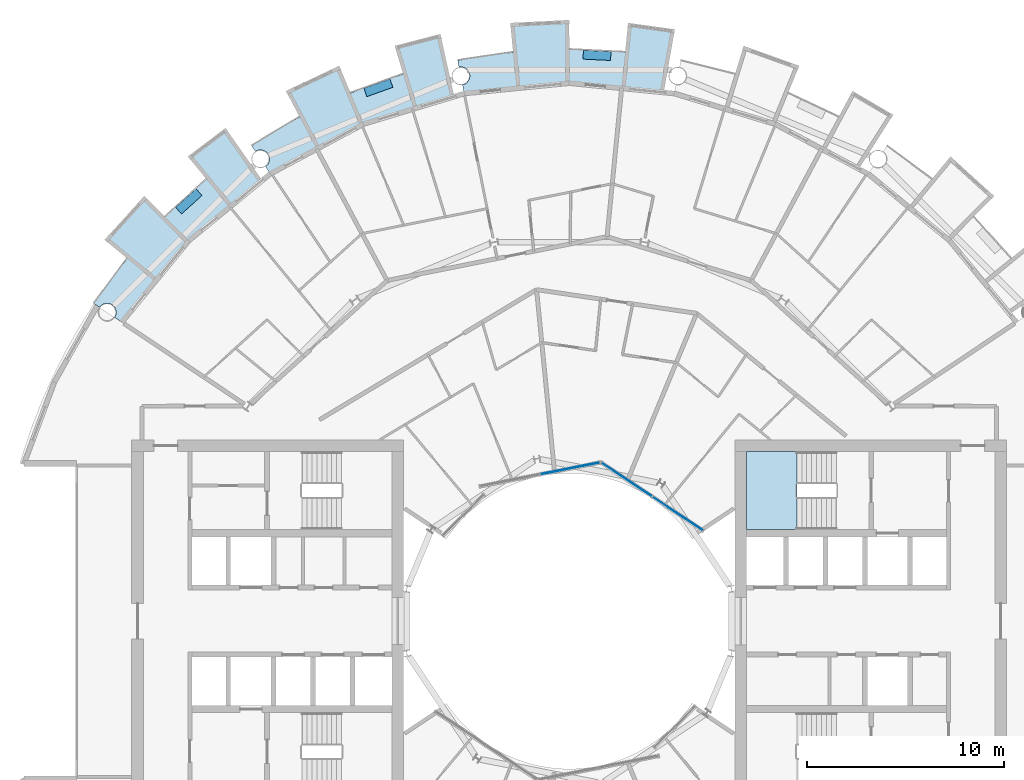
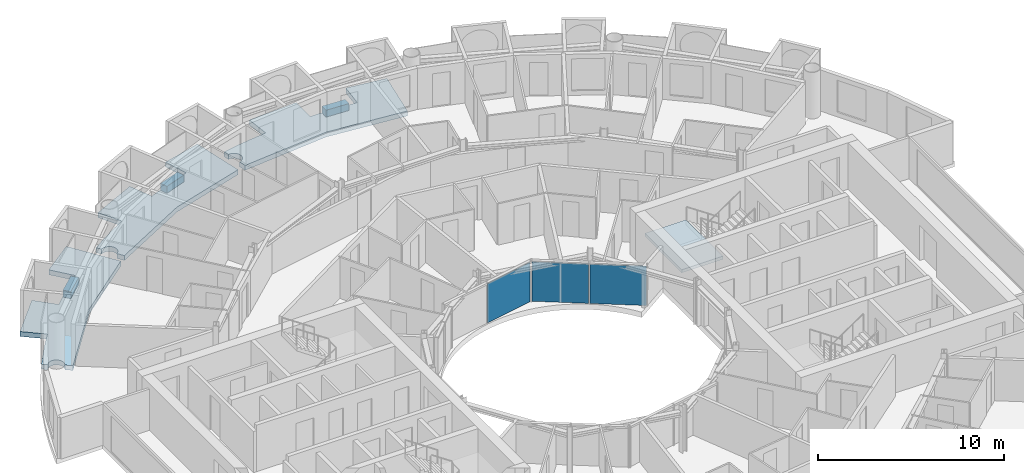
# One storey, part 12 of 28: 7 slabs, 3 plates, 3 elements without a shape of their own.
"""IFC4 building model written with IfcOpenShell, lengths in metres."""

import ifcopenshell
import ifcopenshell.guid

model = None  # the IFC model being written
_history = None  # IfcOwnerHistory: only IFC2X3 demands one
_inside = {}  # id of a spatial element -> (the spatial element, [elements in it])
_under = {}  # id of a project, library or spatial element -> (it, [spatial elements below it])
_declared = {}  # id of a project -> (the project, [libraries it declares])
_typed = {}  # id of a type object -> (the type object, [elements of that type])
_made_of = {}  # id of a material, layer set ... -> (it, [elements and type objects made of it])


def new_model(schema):
    """Start an empty IFC model of exactly this schema.

    Asked for "IFC4X3", IfcOpenShell would pick the latest addendum, in which some entities
    have other attributes; the version numbers below select the first issue.
    IFC2X3 requires an IfcOwnerHistory on every rooted entity: one is made here for all.
    """
    global model, _history
    if schema == "IFC4X3":
        model = ifcopenshell.file(schema_version=(4, 3, 0, 0))
    else:
        model = ifcopenshell.file(schema=schema)
    _inside.clear()
    _under.clear()
    _declared.clear()
    _typed.clear()
    _made_of.clear()
    _history = None
    if model.schema == "IFC2X3":
        org = make("IfcOrganization", Name="unknown")
        user = make(
            "IfcPersonAndOrganization",
            ThePerson=make("IfcPerson", FamilyName="unknown"),
            TheOrganization=org,
        )
        app = make(
            "IfcApplication",
            ApplicationDeveloper=org,
            Version="unknown",
            ApplicationFullName="unknown",
            ApplicationIdentifier="unknown",
        )
        _history = make(
            "IfcOwnerHistory",
            OwningUser=user,
            OwningApplication=app,
            ChangeAction="ADDED",
            CreationDate=0,
        )
    return model


def make(cls, **values):
    """One entity of the class cls with the attributes given. An attribute that is None is left unset."""
    return model.create_entity(
        cls, **{name: value for name, value in values.items() if value is not None}
    )


def rooted(cls, **values):
    """An entity with a GlobalId (a new one), such as an element, a storey or a relation."""
    return make(cls, GlobalId=ifcopenshell.guid.new(), OwnerHistory=_history, **values)


def si_unit(unit_type, name, prefix=None):
    """IfcSIUnit, for example si_unit("LENGTHUNIT", "METRE", prefix="MILLI")."""
    return make("IfcSIUnit", UnitType=unit_type, Prefix=prefix, Name=name)


def assignment(units):
    """IfcUnitAssignment: the units of a project."""
    return None if units is None else make("IfcUnitAssignment", Units=units)


def point(xyz):
    """IfcCartesianPoint."""
    return None if xyz is None else make("IfcCartesianPoint", Coordinates=xyz)


def direction(xyz):
    """IfcDirection."""
    return None if xyz is None else make("IfcDirection", DirectionRatios=xyz)


def frame(location, z_axis=None, x_axis=None):
    """IfcAxis2Placement3D, a coordinate frame: its origin and axes. An axis left out is left unset."""
    return make(
        "IfcAxis2Placement3D",
        Location=point(location),
        Axis=direction(z_axis),
        RefDirection=direction(x_axis),
    )


def frame_2d(location, x_axis=None):
    """IfcAxis2Placement2D, a coordinate frame in the plane: its origin and x axis."""
    return make(
        "IfcAxis2Placement2D", Location=point(location), RefDirection=direction(x_axis)
    )


def origin():
    """The frame at (0, 0, 0) with its axes left unset."""
    return frame((0.0, 0.0, 0.0))


def origin_2d():
    """The frame at (0, 0) in the plane with its x axis left unset."""
    return frame_2d((0.0, 0.0))


def place(relative_to, where):
    """IfcLocalPlacement: puts the frame where relative to a parent placement (None: the world)."""
    return make(
        "IfcLocalPlacement", PlacementRelTo=relative_to, RelativePlacement=where
    )


def context(
    kind, dimensions, precision=None, world=None, true_north=None, identifier=None
):
    """IfcGeometricRepresentationContext, for example the 3D "Model" context."""
    return make(
        "IfcGeometricRepresentationContext",
        ContextIdentifier=identifier,
        ContextType=kind,
        CoordinateSpaceDimension=dimensions,
        Precision=precision,
        WorldCoordinateSystem=world,
        TrueNorth=true_north,
    )


def subcontext(parent, identifier, kind, view, scale=None):
    """IfcGeometricRepresentationSubContext, for example "Body" below "Model"."""
    return make(
        "IfcGeometricRepresentationSubContext",
        ContextIdentifier=identifier,
        ContextType=kind,
        ParentContext=parent,
        TargetScale=scale,
        TargetView=view,
    )


def project(units=None, contexts=None):
    """IfcProject with its units and contexts."""
    return rooted(
        "IfcProject",
        Name="project",
        RepresentationContexts=contexts,
        UnitsInContext=assignment(units),
    )


def spatial(cls, under=None, at=None, **own):
    """A site, building, storey or space (cls), placed at a placement, below another one or the project."""
    s = rooted(cls, ObjectPlacement=at, **own)
    if under is not None:
        _under.setdefault(under.id(), (under, []))[1].append(s)
    return s


def polyline(points):
    """IfcPolyline through the points."""
    return make("IfcPolyline", Points=[point(p) for p in points])


def profile(cls, at=None, kind="AREA", **sizes):
    """A parametric profile (cls). Its sizes go by their IFC names, for example OverallWidth=200.0."""
    return make(cls, ProfileType=kind, Position=at, **sizes)


def rectangle(**sizes):
    """IfcRectangleProfileDef."""
    return profile("IfcRectangleProfileDef", **sizes)


def outline(outer, holes=None, kind="AREA"):
    """IfcArbitraryClosedProfileDef: a profile drawn as a closed curve; with holes, ...WithVoids."""
    if holes is None:
        return make("IfcArbitraryClosedProfileDef", ProfileType=kind, OuterCurve=outer)
    return make(
        "IfcArbitraryProfileDefWithVoids",
        ProfileType=kind,
        OuterCurve=outer,
        InnerCurves=holes,
    )


def extrude(swept, where, along, depth):
    """IfcExtrudedAreaSolid: the profile swept, set in the frame where, extruded along a direction by depth."""
    return make(
        "IfcExtrudedAreaSolid",
        SweptArea=swept,
        Position=where,
        ExtrudedDirection=direction(along),
        Depth=depth,
    )


def shape(context_of_items, identifier, shape_type, items):
    """IfcShapeRepresentation: the items that make up one representation, for example the "Body"."""
    return make(
        "IfcShapeRepresentation",
        ContextOfItems=context_of_items,
        RepresentationIdentifier=identifier,
        RepresentationType=shape_type,
        Items=items,
    )


def material(Name=None, Category=None):
    """IfcMaterial."""
    return make("IfcMaterial", Name=Name, Category=Category)


def layer(
    of_material, thickness, ventilated=None, Name=None, Category=None, Priority=None
):
    """IfcMaterialLayer: one layer of a wall or slab, of a material (None: an air gap)."""
    return make(
        "IfcMaterialLayer",
        Material=of_material,
        LayerThickness=thickness,
        IsVentilated=ventilated,
        Name=Name,
        Category=Category,
        Priority=Priority,
    )


def layer_set(layers, Name=None):
    """IfcMaterialLayerSet."""
    return make("IfcMaterialLayerSet", MaterialLayers=layers, LayerSetName=Name)


def made_of(thing, what):
    """Note that an element or type object is made of a material, layer set ...; save() writes the relation."""
    if what is not None:
        _made_of.setdefault(what.id(), (what, []))[1].append(thing)
    return thing


def type_object(cls, material=None, **own):
    """A type object (cls), such as IfcWallType, which elements share."""
    return made_of(rooted(cls, **own), material)


def element(
    cls,
    number,
    at=None,
    inside=None,
    cuts=None,
    type_object=None,
    material=None,
    context=None,
    identifier="Body",
    shape_type=None,
    held_by="IfcProductDefinitionShape",
    body=None,
    shapes=None,
    **own,
):
    """One element of the class cls, such as IfcWall. Its Tag is "e" and its number.

    at: its placement. inside: the storey or other place that contains it. cuts: it is an
    opening in that element (IfcRelVoidsElement). A single representation is given by context,
    identifier, shape_type and body (its items); several are given by shapes. held_by: the class
    of the entity that holds the representations. save() writes the other relations.
    """
    e = rooted(cls, Tag="e%d" % number, ObjectPlacement=at, **own)
    if body is not None:
        shapes = [shape(context, identifier, shape_type, body)]
    if shapes is not None:
        e.Representation = make(held_by, Representations=shapes)
    if inside is not None:
        _inside.setdefault(inside.id(), (inside, []))[1].append(e)
    if cuts is not None:
        rooted(
            "IfcRelVoidsElement", RelatingBuildingElement=cuts, RelatedOpeningElement=e
        )
    if type_object is not None:
        _typed.setdefault(type_object.id(), (type_object, []))[1].append(e)
    return made_of(e, material)


def aggregate(whole, parts):
    """IfcRelAggregates: a whole, such as a stair, and the parts it consists of."""
    return rooted("IfcRelAggregates", RelatingObject=whole, RelatedObjects=parts)


def save(model, path):
    """Write the relations noted so far, then the file.

    IfcRelAggregates (storeys below a building ...), IfcRelContainedInSpatialStructure (elements
    in a storey), IfcRelDefinesByType, IfcRelAssociatesMaterial and IfcRelDeclares: one each for
    every whole, place, type object, material and project.
    """
    for whole, parts in _under.values():
        aggregate(whole, parts)
    for where, things in _inside.values():
        rooted(
            "IfcRelContainedInSpatialStructure",
            RelatedElements=things,
            RelatingStructure=where,
        )
    for kind, things in _typed.values():
        rooted("IfcRelDefinesByType", RelatedObjects=things, RelatingType=kind)
    for what, things in _made_of.values():
        rooted("IfcRelAssociatesMaterial", RelatedObjects=things, RelatingMaterial=what)
    for by, libraries in _declared.values():
        rooted("IfcRelDeclares", RelatingContext=by, RelatedDefinitions=libraries)
    model.write(path)


model = new_model("IFC4")

# Units and contexts
model_context = context("Model", 3, precision=1e-05, world=origin(), true_north=direction((0.0, 1.0)))
body_context = subcontext(model_context, "Body", "Model", "MODEL_VIEW")
ifc_project = project(units=[si_unit("LENGTHUNIT", "METRE"), si_unit("AREAUNIT", "SQUARE_METRE"), si_unit("VOLUMEUNIT", "CUBIC_METRE"), si_unit("PLANEANGLEUNIT", "RADIAN"), si_unit("MASSUNIT", "GRAM", prefix="KILO")], contexts=[model_context])

# Site, building, storey
site_placement = place(None, origin())
site = spatial("IfcSite", under=ifc_project, at=site_placement, CompositionType="ELEMENT")
building_placement = place(site_placement, origin())
building = spatial("IfcBuilding", under=site, at=building_placement, Name="Maasbend Ring Residences", CompositionType="ELEMENT")
storey_placement = place(building_placement, frame((0.0, 0.0, 133.0)))
storey = spatial("IfcBuildingStorey", under=building, at=storey_placement, Name="L38", CompositionType="ELEMENT", Elevation=133.0)

# Stair, slab
ifc_material_1 = material(Name="Concrete C40/50", Category="concrete")
stair_type = type_object("IfcStairType", Name="CORE STAIR 18 RISERS", PredefinedType="HALF_TURN_STAIR", material=ifc_material_1)
stair_placement = place(storey_placement, origin())
stair = element("IfcStair", 1, at=stair_placement, inside=storey, type_object=stair_type, Name="L38 Exit stair ST-E1", PredefinedType="HALF_TURN_STAIR")
ifc_material_2 = material(Name="Concrete C40/50", Category="concrete")
ifc_layer_1 = layer(ifc_material_2, 0.199951171875)
ifc_layer_set_1 = layer_set([ifc_layer_1], Name="Concrete C40/50")
slab_type_1 = type_object("IfcSlabType", Name="CORE STAIR LANDING 200", PredefinedType="LANDING", material=ifc_layer_set_1)
slab_1_placement = place(storey_placement, frame((0.0, 0.0, 1.324951171875)))
slab_1 = element("IfcSlab", 2, at=slab_1_placement, type_object=slab_type_1, Name="ST-E1 landing 1", PredefinedType="LANDING", context=body_context, shape_type="SweptSolid", body=[
    extrude(outline(polyline([(11.550048828125, 8.60009765625), (9.0, 8.60009765625), (9.0, 4.64990234375), (11.550048828125, 4.64990234375), (11.550048828125, 8.60009765625)])), origin(), (0.0, 0.0, 1.0), 0.199951171875),
])
aggregate(stair, [slab_1])

# Curtain wall, plates
ifc_material_3 = material(Name="Aluminium and clear glass", Category="aluminium")
ifc_layer_2 = layer(ifc_material_3, 0.179931640625)
ifc_layer_set_2 = layer_set([ifc_layer_2], Name="CW-W")
curtain_wall_type = type_object("IfcCurtainWallType", Name="CW-W", PredefinedType="NOTDEFINED", material=ifc_layer_set_2)
curtain_wall_1_placement = place(storey_placement, origin())
curtain_wall_1 = element("IfcCurtainWall", 3, at=curtain_wall_1_placement, inside=storey, type_object=curtain_wall_type, Name="Well curtain wall N1", PredefinedType="NOTDEFINED")
ifc_material_4 = material(Name="Glass clear laminated", Category="glass")
ifc_layer_3 = layer(ifc_material_4, 0.031982421875)
ifc_layer_set_3 = layer_set([ifc_layer_3], Name="CWP-W")
plate_type = type_object("IfcPlateType", Name="CWP-W", PredefinedType="CURTAIN_PANEL", material=ifc_layer_set_3)
plate_1_placement = place(storey_placement, frame((5.51123046875, 5.44580078125, 0.0), z_axis=(0.0, 0.0, 1.0), x_axis=(-0.831469612303, 0.55557023302, 0.0)))
plate_1 = element("IfcPlate", 4, at=plate_1_placement, type_object=plate_type, Name="Glass panel well face", PredefinedType="CURTAIN_PANEL", context=body_context, shape_type="SweptSolid", body=[
    extrude(rectangle(XDim=3.053955078125, YDim=0.031982421875, at=origin_2d()), origin(), (0.0, 0.0, 1.0), 2.580078125),
])
plate_2_placement = place(storey_placement, frame((2.922119140625, 7.17578125, 0.0), z_axis=(0.0, 0.0, 1.0), x_axis=(-0.831469612303, 0.55557023302, 0.0)))
plate_2 = element("IfcPlate", 5, at=plate_2_placement, type_object=plate_type, Name="Glass panel well face", PredefinedType="CURTAIN_PANEL", context=body_context, shape_type="SweptSolid", body=[
    extrude(rectangle(XDim=3.053955078125, YDim=0.031982421875, at=origin_2d()), origin(), (0.0, 0.0, 1.0), 2.580078125),
])
aggregate(curtain_wall_1, [plate_1, plate_2])

# Curtain wall, plate
curtain_wall_2_placement = place(storey_placement, origin())
curtain_wall_2 = element("IfcCurtainWall", 6, at=curtain_wall_2_placement, inside=storey, type_object=curtain_wall_type, Name="Well curtain wall N2", PredefinedType="NOTDEFINED")
plate_3_placement = place(storey_placement, frame((0.04638671875, 7.747802734375, 0.0), z_axis=(0.0, 0.0, 1.0), x_axis=(-0.980785280403, -0.195090322016, 0.0)))
plate_3 = element("IfcPlate", 7, at=plate_3_placement, type_object=plate_type, Name="Glass panel well face", PredefinedType="CURTAIN_PANEL", context=body_context, shape_type="SweptSolid", body=[
    extrude(rectangle(XDim=3.053955078125, YDim=0.031982421875, at=origin_2d()), origin(), (0.0, 0.0, 1.0), 2.580078125),
])
aggregate(curtain_wall_2, [plate_3])

# Slabs
ifc_material_5 = material(Name="Planting with climbing greenery")
ifc_layer_4 = layer(ifc_material_5, 0.449951171875)
ifc_layer_set_4 = layer_set([ifc_layer_4], Name="PLANTER-LG")
slab_type_2 = type_object("IfcSlabType", Name="PLANTER-LG", PredefinedType="USERDEFINED", material=ifc_layer_set_4)
slab_2_placement = place(storey_placement, frame((0.0, 0.0, -0.030029296875)))
element("IfcSlab", 8, at=slab_2_placement, inside=storey, type_object=slab_type_2, Name="Planter with climbing greenery 3", ObjectType="PLANTER", PredefinedType="USERDEFINED", context=body_context, shape_type="SweptSolid", body=[
    extrude(outline(polyline([(2.1201171875, 28.89599609375), (0.721923828125, 28.965087890625), (0.699951171875, 28.514892578125), (2.097900390625, 28.446044921875), (2.1201171875, 28.89599609375)])), origin(), (0.0, 0.0, 1.0), 0.449951171875),
])
slab_3_placement = place(storey_placement, frame((0.0, 0.0, -0.030029296875)))
element("IfcSlab", 9, at=slab_3_placement, inside=storey, type_object=slab_type_2, Name="Planter with climbing greenery 4", ObjectType="PLANTER", PredefinedType="USERDEFINED", context=body_context, shape_type="SweptSolid", body=[
    extrude(outline(polyline([(-9.09912109375, 27.508056640625), (-10.4169921875, 27.035888671875), (-10.26611328125, 26.612060546875), (-8.947021484375, 27.083984375), (-9.09912109375, 27.508056640625)])), origin(), (0.0, 0.0, 1.0), 0.449951171875),
])
slab_4_placement = place(storey_placement, frame((0.0, 0.0, -0.030029296875)))
element("IfcSlab", 10, at=slab_4_placement, inside=storey, type_object=slab_type_2, Name="Planter with climbing greenery 5", ObjectType="PLANTER", PredefinedType="USERDEFINED", context=body_context, shape_type="SweptSolid", body=[
    extrude(outline(polyline([(-18.93310546875, 21.931884765625), (-19.969970703125, 20.991943359375), (-19.66796875, 20.657958984375), (-18.631103515625, 21.597900390625), (-18.93310546875, 21.931884765625)])), origin(), (0.0, 0.0, 1.0), 0.449951171875),
])
ifc_material_6 = material(Name="Concrete C40/50", Category="concrete")
ifc_layer_5 = layer(ifc_material_6, 0.199951171875)
ifc_layer_set_5 = layer_set([ifc_layer_5], Name="Concrete C40/50")
slab_type_3 = type_object("IfcSlabType", Name="SL-LOGGIA", PredefinedType="FLOOR", material=ifc_layer_set_5)
slab_5_placement = place(storey_placement, frame((0.0, 0.0, -0.35009765625)))
element("IfcSlab", 11, at=slab_5_placement, inside=storey, type_object=slab_type_3, Name="Loggia floor 1", PredefinedType="FLOOR", context=body_context, shape_type="SweptSolid", body=[
    extrude(outline(polyline([(-14.5, 25.114990234375), (-13.6708984375, 25.574951171875), (-13.6708984375, 25.575927734375), (-13.6708984375, 25.575927734375), (-13.6708984375, 25.575927734375), (-13.6708984375, 25.575927734375), (-13.6708984375, 25.575927734375), (-13.6708984375, 25.575927734375), (-13.6708984375, 25.575927734375), (-13.6708984375, 25.575927734375), (-13.6708984375, 25.575927734375), (-13.6708984375, 25.575927734375), (-13.6708984375, 25.575927734375), (-13.6708984375, 25.575927734375), (-13.6708984375, 25.575927734375), (-13.6708984375, 25.575927734375), (-13.6708984375, 25.575927734375), (-13.6708984375, 25.575927734375), (-14.3779296875, 26.89892578125), (-14.3779296875, 26.89892578125), (-14.3779296875, 26.89892578125), (-11.672119140625, 28.177978515625), (-11.672119140625, 28.177978515625), (-11.672119140625, 28.177978515625), (-11.097900390625, 26.79296875), (-11.097900390625, 26.79296875), (-11.097900390625, 26.79296875), (-11.097900390625, 26.79296875), (-11.097900390625, 26.79296875), (-11.097900390625, 26.79296875), (-11.097900390625, 26.79296875), (-11.097900390625, 26.79296875), (-11.097900390625, 26.79296875), (-11.097900390625, 26.79296875), (-11.097900390625, 26.79296875), (-11.097900390625, 26.79296875), (-11.097900390625, 26.79296875), (-11.097900390625, 26.79296875), (-11.096923828125, 26.79296875), (-11.096923828125, 26.79296875), (-11.096923828125, 26.79296875), (-10.215087890625, 27.14111328125), (-10.215087890625, 27.14111328125), (-9.322021484375, 27.4609375), (-9.322021484375, 27.4609375), (-8.4189453125, 27.7509765625), (-8.4189453125, 27.7509765625), (-8.4189453125, 27.7509765625), (-8.4189453125, 27.7509765625), (-8.4189453125, 27.7509765625), (-8.4189453125, 27.7509765625), (-8.41796875, 27.7509765625), (-8.41796875, 27.7509765625), (-8.41796875, 27.7509765625), (-8.41796875, 27.7509765625), (-8.41796875, 27.7509765625), (-8.41796875, 27.751953125), (-8.41796875, 27.751953125), (-8.41796875, 27.751953125), (-8.41796875, 27.751953125), (-8.41796875, 27.751953125), (-8.41796875, 27.751953125), (-8.85400390625, 29.18701171875), (-8.85400390625, 29.18701171875), (-8.85400390625, 29.18701171875), (-6.5400390625, 29.791015625), (-6.5400390625, 29.791015625), (-6.5400390625, 29.791015625), (-5.843994140625, 26.617919921875), (-5.843994140625, 26.617919921875), (-5.843994140625, 26.617919921875), (-7.886962890625, 25.9990234375), (-10.447021484375, 25.221923828125), (-10.447021484375, 25.221923828125), (-10.447021484375, 25.221923828125), (-12.806884765625, 23.9609375), (-15.1669921875, 22.698974609375), (-15.1669921875, 22.698974609375), (-15.1669921875, 22.698974609375), (-15.4130859375, 23.06689453125), (-15.404052734375, 23.073974609375), (-15.39501953125, 23.080078125), (-15.385986328125, 23.0869140625), (-15.376953125, 23.093994140625), (-15.368896484375, 23.10107421875), (-15.360107421875, 23.10888671875), (-15.35205078125, 23.115966796875), (-15.343994140625, 23.1240234375), (-15.3359375, 23.132080078125), (-15.327880859375, 23.139892578125), (-15.321044921875, 23.14892578125), (-15.31396484375, 23.156982421875), (-15.306884765625, 23.166015625), (-15.300048828125, 23.175048828125), (-15.29296875, 23.18408203125), (-15.287109375, 23.194091796875), (-15.281005859375, 23.202880859375), (-15.27490234375, 23.2119140625), (-15.26904296875, 23.221923828125), (-15.263916015625, 23.23193359375), (-15.259033203125, 23.241943359375), (-15.25390625, 23.251953125), (-15.2490234375, 23.261962890625), (-15.2451171875, 23.27294921875), (-15.240966796875, 23.282958984375), (-15.237060546875, 23.29296875), (-15.23291015625, 23.303955078125), (-15.22998046875, 23.31494140625), (-15.22705078125, 23.325927734375), (-15.22412109375, 23.3359375), (-15.220947265625, 23.346923828125), (-15.218994140625, 23.35791015625), (-15.217041015625, 23.368896484375), (-15.215087890625, 23.3798828125), (-15.214111328125, 23.39111328125), (-15.2119140625, 23.403076171875), (-15.2109375, 23.4140625), (-15.2109375, 23.425048828125), (-15.2099609375, 23.43603515625), (-15.2099609375, 23.447021484375), (-15.2099609375, 23.458984375), (-15.2109375, 23.469970703125), (-15.2109375, 23.48095703125), (-15.2119140625, 23.491943359375), (-15.214111328125, 23.5029296875), (-15.215087890625, 23.513916015625), (-15.217041015625, 23.52587890625), (-15.218994140625, 23.537109375), (-15.220947265625, 23.548095703125), (-15.22412109375, 23.55810546875), (-15.22705078125, 23.569091796875), (-15.22998046875, 23.580078125), (-15.23291015625, 23.591064453125), (-15.237060546875, 23.60107421875), (-15.240966796875, 23.612060546875), (-15.2451171875, 23.6220703125), (-15.2490234375, 23.633056640625), (-15.25390625, 23.64306640625), (-15.259033203125, 23.653076171875), (-15.263916015625, 23.6630859375), (-15.26904296875, 23.673095703125), (-15.27490234375, 23.681884765625), (-15.281005859375, 23.69189453125), (-15.287109375, 23.700927734375), (-15.29296875, 23.7109375), (-15.300048828125, 23.719970703125), (-15.306884765625, 23.72900390625), (-15.31396484375, 23.737060546875), (-15.321044921875, 23.74609375), (-15.327880859375, 23.75390625), (-15.3359375, 23.762939453125), (-15.343994140625, 23.77099609375), (-15.35205078125, 23.778076171875), (-15.360107421875, 23.785888671875), (-15.368896484375, 23.79296875), (-15.376953125, 23.801025390625), (-15.385986328125, 23.80810546875), (-15.39501953125, 23.81396484375), (-15.404052734375, 23.821044921875), (-15.4130859375, 23.826904296875), (-15.423095703125, 23.8330078125), (-15.431884765625, 23.839111328125), (-15.44189453125, 23.844970703125), (-15.451904296875, 23.85009765625), (-15.4619140625, 23.85595703125), (-15.471923828125, 23.861083984375), (-15.48193359375, 23.864990234375), (-15.491943359375, 23.8701171875), (-15.5029296875, 23.8740234375), (-15.512939453125, 23.8779296875), (-15.52392578125, 23.881103515625), (-15.533935546875, 23.885009765625), (-15.544921875, 23.887939453125), (-15.555908203125, 23.89111328125), (-15.56689453125, 23.89306640625), (-15.577880859375, 23.89599609375), (-15.589111328125, 23.89794921875), (-15.60009765625, 23.89892578125), (-15.611083984375, 23.90087890625), (-15.6220703125, 23.902099609375), (-15.633056640625, 23.903076171875), (-15.64501953125, 23.904052734375), (-15.656005859375, 23.904052734375), (-15.6669921875, 23.904052734375), (-15.677978515625, 23.904052734375), (-15.68994140625, 23.904052734375), (-15.700927734375, 23.903076171875), (-15.7119140625, 23.902099609375), (-15.722900390625, 23.90087890625), (-15.73388671875, 23.89892578125), (-15.7451171875, 23.89794921875), (-15.756103515625, 23.89599609375), (-15.76708984375, 23.89306640625), (-15.778076171875, 23.89111328125), (-15.7890625, 23.887939453125), (-15.800048828125, 23.885009765625), (-15.81005859375, 23.881103515625), (-15.821044921875, 23.8779296875), (-15.83203125, 23.8740234375), (-15.842041015625, 23.8701171875), (-15.85205078125, 23.864990234375), (-15.862060546875, 23.861083984375), (-15.873046875, 23.85595703125), (-15.883056640625, 23.85009765625), (-15.89208984375, 23.844970703125), (-15.902099609375, 23.839111328125), (-15.912109375, 23.8330078125), (-15.9208984375, 23.826904296875), (-16.112060546875, 24.113037109375), (-16.112060546875, 24.113037109375), (-16.112060546875, 24.113037109375), (-15.31396484375, 24.626953125), (-15.31396484375, 24.626953125), (-14.5, 25.114990234375), (-14.5, 25.114990234375)])), origin(), (0.0, 0.0, 1.0), 0.320068359375),
])
slab_6_placement = place(storey_placement, frame((0.0, 0.0, -0.35009765625)))
element("IfcSlab", 12, at=slab_6_placement, inside=storey, type_object=slab_type_3, Name="Loggia floor 3", PredefinedType="FLOOR", context=body_context, shape_type="SweptSolid", body=[
    extrude(outline(polyline([(-3.784912109375, 28.751953125), (-2.843017578125, 28.860107421875), (-2.843017578125, 28.860107421875), (-2.843017578125, 28.860107421875), (-2.843017578125, 28.860107421875), (-2.843017578125, 28.860107421875), (-2.843017578125, 28.860107421875), (-2.843017578125, 28.860107421875), (-2.843017578125, 28.860107421875), (-2.843017578125, 28.860107421875), (-2.843017578125, 28.861083984375), (-2.843017578125, 28.861083984375), (-2.843017578125, 28.861083984375), (-2.843017578125, 28.861083984375), (-2.843017578125, 28.861083984375), (-2.843017578125, 28.861083984375), (-2.843017578125, 28.861083984375), (-2.843017578125, 28.861083984375), (-2.989990234375, 30.35302734375), (-2.989990234375, 30.35302734375), (-2.989990234375, 30.35302734375), (0.0, 30.5), (0.0, 30.5), (0.0, 30.5), (0.0, 29.0), (0.0, 29.0), (0.0, 29.0), (0.0, 29.0), (0.0, 29.0), (0.0, 29.0), (0.0, 29.0), (0.0, 29.0), (0.0, 29.0), (0.0, 29.0), (0.0, 29.0), (0.0, 29.0), (0.0, 29.0), (0.0, 29.0), (0.0, 29.0), (0.0, 29.0), (0.0, 29.0), (0.948974609375, 28.98388671875), (0.948974609375, 28.98388671875), (1.89697265625, 28.93798828125), (1.89697265625, 28.93798828125), (2.842041015625, 28.860107421875), (2.842041015625, 28.860107421875), (2.842041015625, 28.860107421875), (2.842041015625, 28.860107421875), (2.842041015625, 28.860107421875), (2.842041015625, 28.860107421875), (2.842041015625, 28.860107421875), (2.842041015625, 28.860107421875), (2.842041015625, 28.861083984375), (2.842041015625, 28.861083984375), (2.842041015625, 28.861083984375), (2.842041015625, 28.861083984375), (2.842041015625, 28.861083984375), (2.843017578125, 28.861083984375), (2.843017578125, 28.861083984375), (2.843017578125, 28.861083984375), (2.843017578125, 28.861083984375), (2.989990234375, 30.35302734375), (2.989990234375, 30.35302734375), (2.989990234375, 30.35302734375), (5.35791015625, 30.02587890625), (5.35791015625, 30.02587890625), (5.35791015625, 30.02587890625), (4.7880859375, 26.827880859375), (4.7880859375, 26.827880859375), (4.7880859375, 26.827880859375), (2.6630859375, 27.0380859375), (0.0, 27.300048828125), (0.0, 27.300048828125), (0.0, 27.300048828125), (-2.6630859375, 27.0380859375), (-5.325927734375, 26.77490234375), (-5.325927734375, 26.77490234375), (-5.325927734375, 26.77490234375), (-5.412109375, 27.2099609375), (-5.412109375, 27.2099609375), (-5.40087890625, 27.2119140625), (-5.389892578125, 27.215087890625), (-5.3798828125, 27.218017578125), (-5.368896484375, 27.220947265625), (-5.35791015625, 27.22412109375), (-5.347900390625, 27.22802734375), (-5.3369140625, 27.23193359375), (-5.326904296875, 27.236083984375), (-5.31591796875, 27.239990234375), (-5.305908203125, 27.2451171875), (-5.2958984375, 27.25), (-5.285888671875, 27.2548828125), (-5.27587890625, 27.260009765625), (-5.26708984375, 27.26611328125), (-5.257080078125, 27.27197265625), (-5.248046875, 27.278076171875), (-5.238037109375, 27.283935546875), (-5.22900390625, 27.291015625), (-5.219970703125, 27.298095703125), (-5.2119140625, 27.304931640625), (-5.202880859375, 27.31201171875), (-5.195068359375, 27.319091796875), (-5.18603515625, 27.326904296875), (-5.177978515625, 27.3349609375), (-5.1708984375, 27.343017578125), (-5.1630859375, 27.35107421875), (-5.155029296875, 27.360107421875), (-5.14794921875, 27.367919921875), (-5.14111328125, 27.376953125), (-5.134033203125, 27.385986328125), (-5.1279296875, 27.39501953125), (-5.1220703125, 27.404052734375), (-5.114990234375, 27.4140625), (-5.110107421875, 27.423095703125), (-5.10400390625, 27.43310546875), (-5.097900390625, 27.443115234375), (-5.093017578125, 27.452880859375), (-5.087890625, 27.462890625), (-5.083984375, 27.472900390625), (-5.0791015625, 27.48291015625), (-5.074951171875, 27.493896484375), (-5.071044921875, 27.50390625), (-5.068115234375, 27.514892578125), (-5.06396484375, 27.52490234375), (-5.06103515625, 27.535888671875), (-5.05810546875, 27.547119140625), (-5.055908203125, 27.55810546875), (-5.052978515625, 27.569091796875), (-5.051025390625, 27.580078125), (-5.049072265625, 27.591064453125), (-5.048095703125, 27.60205078125), (-5.047119140625, 27.613037109375), (-5.0458984375, 27.6240234375), (-5.044921875, 27.635986328125), (-5.044921875, 27.64697265625), (-5.044921875, 27.657958984375), (-5.044921875, 27.6689453125), (-5.044921875, 27.680908203125), (-5.0458984375, 27.69189453125), (-5.047119140625, 27.702880859375), (-5.048095703125, 27.714111328125), (-5.049072265625, 27.72509765625), (-5.051025390625, 27.736083984375), (-5.052978515625, 27.7470703125), (-5.055908203125, 27.758056640625), (-5.05810546875, 27.76904296875), (-5.06103515625, 27.780029296875), (-5.06396484375, 27.791015625), (-5.068115234375, 27.801025390625), (-5.071044921875, 27.81201171875), (-5.074951171875, 27.822998046875), (-5.0791015625, 27.8330078125), (-5.083984375, 27.843017578125), (-5.087890625, 27.85302734375), (-5.093017578125, 27.864013671875), (-5.097900390625, 27.8740234375), (-5.10400390625, 27.883056640625), (-5.110107421875, 27.89306640625), (-5.114990234375, 27.903076171875), (-5.1220703125, 27.912109375), (-5.1279296875, 27.9208984375), (-5.134033203125, 27.929931640625), (-5.14111328125, 27.93896484375), (-5.14794921875, 27.947998046875), (-5.155029296875, 27.95703125), (-5.1630859375, 27.965087890625), (-5.1708984375, 27.972900390625), (-5.177978515625, 27.98095703125), (-5.18603515625, 27.989013671875), (-5.195068359375, 27.9970703125), (-5.202880859375, 28.00390625), (-5.2119140625, 28.010986328125), (-5.219970703125, 28.01806640625), (-5.22900390625, 28.02490234375), (-5.238037109375, 28.031982421875), (-5.248046875, 28.0380859375), (-5.257080078125, 28.0439453125), (-5.26708984375, 28.050048828125), (-5.27587890625, 28.055908203125), (-5.285888671875, 28.06103515625), (-5.2958984375, 28.06591796875), (-5.305908203125, 28.071044921875), (-5.31591796875, 28.075927734375), (-5.326904296875, 28.080078125), (-5.3369140625, 28.083984375), (-5.347900390625, 28.087890625), (-5.35791015625, 28.092041015625), (-5.368896484375, 28.094970703125), (-5.3798828125, 28.09912109375), (-5.389892578125, 28.10107421875), (-5.40087890625, 28.10400390625), (-5.412109375, 28.10595703125), (-5.423095703125, 28.10791015625), (-5.43408203125, 28.110107421875), (-5.446044921875, 28.112060546875), (-5.45703125, 28.113037109375), (-5.468017578125, 28.114013671875), (-5.47900390625, 28.114990234375), (-5.489990234375, 28.114990234375), (-5.501953125, 28.114990234375), (-5.512939453125, 28.114990234375), (-5.52392578125, 28.114990234375), (-5.534912109375, 28.114013671875), (-5.5458984375, 28.113037109375), (-5.556884765625, 28.112060546875), (-5.569091796875, 28.110107421875), (-5.580078125, 28.10791015625), (-5.591064453125, 28.10595703125), (-5.591064453125, 28.10595703125), (-5.657958984375, 28.443115234375), (-5.657958984375, 28.443115234375), (-5.657958984375, 28.443115234375), (-4.72412109375, 28.613037109375), (-4.72412109375, 28.613037109375), (-3.784912109375, 28.751953125), (-3.784912109375, 28.751953125)])), origin(), (0.0, 0.0, 1.0), 0.320068359375),
])
slab_7_placement = place(storey_placement, frame((0.0, 0.0, -0.35009765625)))
element("IfcSlab", 13, at=slab_7_placement, inside=storey, type_object=slab_type_3, Name="Loggia floor 4", PredefinedType="FLOOR", context=body_context, shape_type="SweptSolid", body=[
    extrude(outline(polyline([(-23.007080078125, 17.654052734375), (-22.41796875, 18.39697265625), (-22.41796875, 18.39697265625), (-22.41796875, 18.39697265625), (-22.41796875, 18.39697265625), (-22.41796875, 18.39697265625), (-22.41796875, 18.39697265625), (-22.41796875, 18.39697265625), (-22.41796875, 18.39697265625), (-22.41796875, 18.39697265625), (-22.41796875, 18.39697265625), (-22.41796875, 18.39697265625), (-22.41796875, 18.39794921875), (-22.41796875, 18.39794921875), (-22.41796875, 18.39794921875), (-22.41796875, 18.39794921875), (-22.41796875, 18.39794921875), (-22.41796875, 18.39794921875), (-23.576904296875, 19.34912109375), (-23.576904296875, 19.34912109375), (-23.576904296875, 19.34912109375), (-21.56689453125, 21.56689453125), (-21.56689453125, 21.56689453125), (-21.56689453125, 21.56689453125), (-20.506103515625, 20.506103515625), (-20.506103515625, 20.506103515625), (-20.506103515625, 20.506103515625), (-20.506103515625, 20.506103515625), (-20.506103515625, 20.506103515625), (-20.506103515625, 20.506103515625), (-20.506103515625, 20.506103515625), (-20.506103515625, 20.506103515625), (-20.506103515625, 20.506103515625), (-20.506103515625, 20.506103515625), (-20.506103515625, 20.506103515625), (-20.506103515625, 20.506103515625), (-20.506103515625, 20.506103515625), (-20.506103515625, 20.506103515625), (-20.506103515625, 20.506103515625), (-20.506103515625, 20.506103515625), (-20.506103515625, 20.506103515625), (-19.823974609375, 21.166015625), (-19.823974609375, 21.166015625), (-19.12109375, 21.802978515625), (-19.12109375, 21.802978515625), (-18.39794921875, 22.4169921875), (-18.39794921875, 22.4169921875), (-18.39794921875, 22.4169921875), (-18.39794921875, 22.4169921875), (-18.39794921875, 22.4169921875), (-18.39794921875, 22.4169921875), (-18.39794921875, 22.4169921875), (-18.39794921875, 22.4169921875), (-18.39794921875, 22.4169921875), (-18.39794921875, 22.4169921875), (-18.39794921875, 22.4169921875), (-18.39794921875, 22.4169921875), (-18.39794921875, 22.41796875), (-18.39794921875, 22.41796875), (-18.39794921875, 22.41796875), (-18.39794921875, 22.41796875), (-18.39794921875, 22.41796875), (-19.34912109375, 23.576904296875), (-19.34912109375, 23.576904296875), (-19.34912109375, 23.576904296875), (-17.44189453125, 25.02001953125), (-17.44189453125, 25.02001953125), (-17.44189453125, 25.02001953125), (-15.5849609375, 22.35595703125), (-15.5849609375, 22.35595703125), (-15.5849609375, 22.35595703125), (-17.236083984375, 21.001953125), (-19.303955078125, 19.303955078125), (-19.303955078125, 19.303955078125), (-19.303955078125, 19.303955078125), (-21.001953125, 17.236083984375), (-22.698974609375, 15.1669921875), (-22.698974609375, 15.1669921875), (-22.698974609375, 15.1669921875), (-23.06689453125, 15.4130859375), (-23.06689453125, 15.4130859375), (-23.06103515625, 15.423095703125), (-23.054931640625, 15.431884765625), (-23.050048828125, 15.44189453125), (-23.0439453125, 15.451904296875), (-23.0390625, 15.4619140625), (-23.033935546875, 15.471923828125), (-23.030029296875, 15.48193359375), (-23.02490234375, 15.491943359375), (-23.02099609375, 15.5029296875), (-23.01708984375, 15.512939453125), (-23.012939453125, 15.52392578125), (-23.010009765625, 15.533935546875), (-23.007080078125, 15.544921875), (-23.00390625, 15.555908203125), (-23.001953125, 15.56689453125), (-22.9990234375, 15.577880859375), (-22.9970703125, 15.589111328125), (-22.9951171875, 15.60009765625), (-22.993896484375, 15.611083984375), (-22.992919921875, 15.6220703125), (-22.991943359375, 15.633056640625), (-22.990966796875, 15.64501953125), (-22.990966796875, 15.656005859375), (-22.989990234375, 15.6669921875), (-22.990966796875, 15.677978515625), (-22.990966796875, 15.68994140625), (-22.991943359375, 15.700927734375), (-22.992919921875, 15.7119140625), (-22.993896484375, 15.722900390625), (-22.9951171875, 15.73388671875), (-22.9970703125, 15.7451171875), (-22.9990234375, 15.756103515625), (-23.001953125, 15.76708984375), (-23.00390625, 15.778076171875), (-23.007080078125, 15.7890625), (-23.010009765625, 15.800048828125), (-23.012939453125, 15.81005859375), (-23.01708984375, 15.821044921875), (-23.02099609375, 15.83203125), (-23.02490234375, 15.842041015625), (-23.030029296875, 15.85205078125), (-23.033935546875, 15.862060546875), (-23.0390625, 15.873046875), (-23.0439453125, 15.883056640625), (-23.050048828125, 15.89208984375), (-23.054931640625, 15.902099609375), (-23.06103515625, 15.912109375), (-23.06689453125, 15.9208984375), (-23.073974609375, 15.929931640625), (-23.080078125, 15.93896484375), (-23.0869140625, 15.947998046875), (-23.093994140625, 15.95703125), (-23.10107421875, 15.966064453125), (-23.10888671875, 15.97412109375), (-23.115966796875, 15.98193359375), (-23.1240234375, 15.989990234375), (-23.132080078125, 15.998046875), (-23.139892578125, 16.006103515625), (-23.14892578125, 16.012939453125), (-23.156982421875, 16.02001953125), (-23.166015625, 16.027099609375), (-23.175048828125, 16.033935546875), (-23.18408203125, 16.041015625), (-23.194091796875, 16.047119140625), (-23.202880859375, 16.052978515625), (-23.2119140625, 16.05908203125), (-23.221923828125, 16.06494140625), (-23.23193359375, 16.070068359375), (-23.241943359375, 16.074951171875), (-23.251953125, 16.080078125), (-23.261962890625, 16.0849609375), (-23.27294921875, 16.089111328125), (-23.282958984375, 16.093017578125), (-23.29296875, 16.096923828125), (-23.303955078125, 16.10107421875), (-23.31494140625, 16.10400390625), (-23.325927734375, 16.10791015625), (-23.3359375, 16.110107421875), (-23.346923828125, 16.113037109375), (-23.35791015625, 16.114990234375), (-23.368896484375, 16.116943359375), (-23.3798828125, 16.118896484375), (-23.39111328125, 16.12109375), (-23.403076171875, 16.1220703125), (-23.4140625, 16.123046875), (-23.425048828125, 16.1240234375), (-23.43603515625, 16.1240234375), (-23.447021484375, 16.1240234375), (-23.458984375, 16.1240234375), (-23.469970703125, 16.1240234375), (-23.48095703125, 16.123046875), (-23.491943359375, 16.1220703125), (-23.5029296875, 16.12109375), (-23.513916015625, 16.118896484375), (-23.52587890625, 16.116943359375), (-23.537109375, 16.114990234375), (-23.548095703125, 16.113037109375), (-23.55810546875, 16.110107421875), (-23.569091796875, 16.10791015625), (-23.580078125, 16.10400390625), (-23.591064453125, 16.10107421875), (-23.60107421875, 16.096923828125), (-23.612060546875, 16.093017578125), (-23.6220703125, 16.089111328125), (-23.633056640625, 16.0849609375), (-23.64306640625, 16.080078125), (-23.653076171875, 16.074951171875), (-23.6630859375, 16.070068359375), (-23.673095703125, 16.06494140625), (-23.681884765625, 16.05908203125), (-23.69189453125, 16.052978515625), (-23.700927734375, 16.047119140625), (-23.7109375, 16.041015625), (-23.719970703125, 16.033935546875), (-23.72900390625, 16.027099609375), (-23.737060546875, 16.02001953125), (-23.74609375, 16.012939453125), (-23.75390625, 16.006103515625), (-23.762939453125, 15.998046875), (-23.77099609375, 15.989990234375), (-23.778076171875, 15.98193359375), (-23.785888671875, 15.97412109375), (-23.79296875, 15.966064453125), (-23.801025390625, 15.95703125), (-23.80810546875, 15.947998046875), (-23.81396484375, 15.93896484375), (-23.821044921875, 15.929931640625), (-23.826904296875, 15.9208984375), (-23.826904296875, 15.9208984375), (-24.113037109375, 16.112060546875), (-24.113037109375, 16.112060546875), (-24.113037109375, 16.112060546875), (-23.572998046875, 16.89208984375), (-23.572998046875, 16.89208984375), (-23.007080078125, 17.654052734375), (-23.007080078125, 17.654052734375)])), origin(), (0.0, 0.0, 1.0), 0.320068359375),
])

save(model, "model.ifc")
